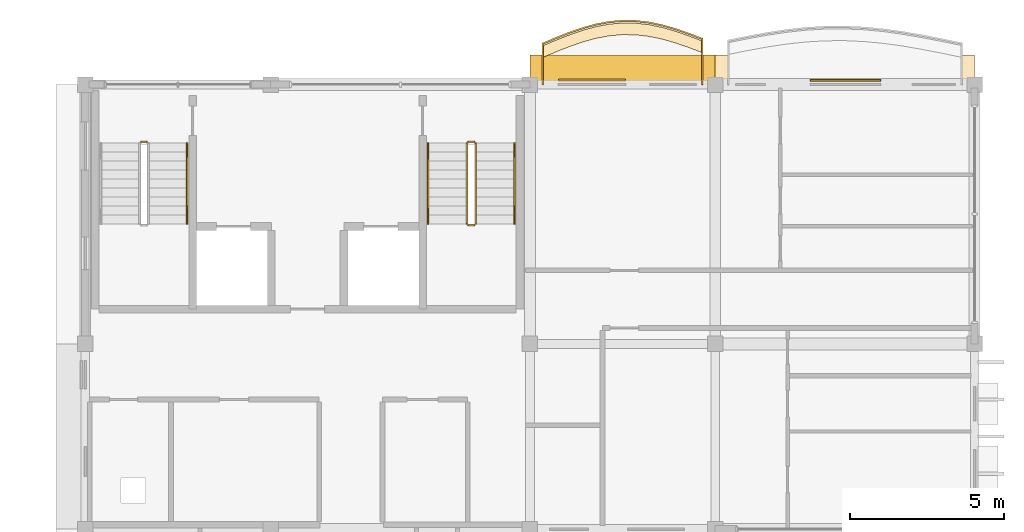
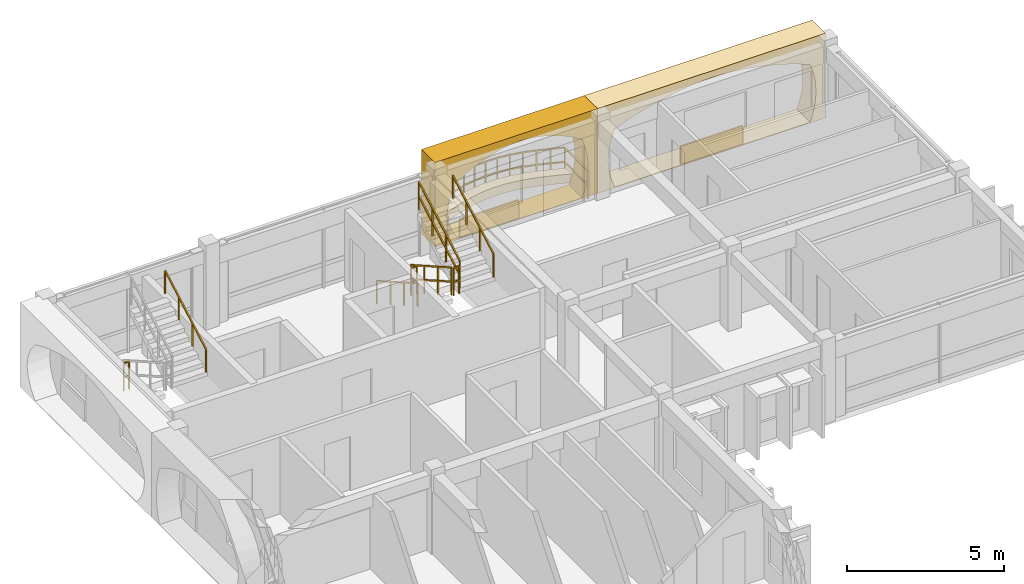
# One storey, part 10 of 10: 9 railings, 5 coverings.
"""IFC4 building model written with IfcOpenShell, lengths in metres."""

import ifcopenshell
import ifcopenshell.guid

model = None  # the IFC model being written
_history = None  # IfcOwnerHistory: only IFC2X3 demands one
_inside = {}  # id of a spatial element -> (the spatial element, [elements in it])
_under = {}  # id of a project, library or spatial element -> (it, [spatial elements below it])
_declared = {}  # id of a project -> (the project, [libraries it declares])
_typed = {}  # id of a type object -> (the type object, [elements of that type])
_made_of = {}  # id of a material, layer set ... -> (it, [elements and type objects made of it])


def new_model(schema):
    """Start an empty IFC model of exactly this schema.

    Asked for "IFC4X3", IfcOpenShell would pick the latest addendum, in which some entities
    have other attributes; the version numbers below select the first issue.
    IFC2X3 requires an IfcOwnerHistory on every rooted entity: one is made here for all.
    """
    global model, _history
    if schema == "IFC4X3":
        model = ifcopenshell.file(schema_version=(4, 3, 0, 0))
    else:
        model = ifcopenshell.file(schema=schema)
    _inside.clear()
    _under.clear()
    _declared.clear()
    _typed.clear()
    _made_of.clear()
    _history = None
    if model.schema == "IFC2X3":
        org = make("IfcOrganization", Name="unknown")
        user = make(
            "IfcPersonAndOrganization",
            ThePerson=make("IfcPerson", FamilyName="unknown"),
            TheOrganization=org,
        )
        app = make(
            "IfcApplication",
            ApplicationDeveloper=org,
            Version="unknown",
            ApplicationFullName="unknown",
            ApplicationIdentifier="unknown",
        )
        _history = make(
            "IfcOwnerHistory",
            OwningUser=user,
            OwningApplication=app,
            ChangeAction="ADDED",
            CreationDate=0,
        )
    return model


def make(cls, **values):
    """One entity of the class cls with the attributes given. An attribute that is None is left unset."""
    return model.create_entity(
        cls, **{name: value for name, value in values.items() if value is not None}
    )


def rooted(cls, **values):
    """An entity with a GlobalId (a new one), such as an element, a storey or a relation."""
    return make(cls, GlobalId=ifcopenshell.guid.new(), OwnerHistory=_history, **values)


def si_unit(unit_type, name, prefix=None):
    """IfcSIUnit, for example si_unit("LENGTHUNIT", "METRE", prefix="MILLI")."""
    return make("IfcSIUnit", UnitType=unit_type, Prefix=prefix, Name=name)


def assignment(units):
    """IfcUnitAssignment: the units of a project."""
    return None if units is None else make("IfcUnitAssignment", Units=units)


def point(xyz):
    """IfcCartesianPoint."""
    return None if xyz is None else make("IfcCartesianPoint", Coordinates=xyz)


def direction(xyz):
    """IfcDirection."""
    return None if xyz is None else make("IfcDirection", DirectionRatios=xyz)


def frame(location, z_axis=None, x_axis=None):
    """IfcAxis2Placement3D, a coordinate frame: its origin and axes. An axis left out is left unset."""
    return make(
        "IfcAxis2Placement3D",
        Location=point(location),
        Axis=direction(z_axis),
        RefDirection=direction(x_axis),
    )


def frame_2d(location, x_axis=None):
    """IfcAxis2Placement2D, a coordinate frame in the plane: its origin and x axis."""
    return make(
        "IfcAxis2Placement2D", Location=point(location), RefDirection=direction(x_axis)
    )


def origin():
    """The frame at (0, 0, 0) with its axes left unset."""
    return frame((0.0, 0.0, 0.0))


def origin_2d():
    """The frame at (0, 0) in the plane with its x axis left unset."""
    return frame_2d((0.0, 0.0))


def place(relative_to, where):
    """IfcLocalPlacement: puts the frame where relative to a parent placement (None: the world)."""
    return make(
        "IfcLocalPlacement", PlacementRelTo=relative_to, RelativePlacement=where
    )


def context(
    kind, dimensions, precision=None, world=None, true_north=None, identifier=None
):
    """IfcGeometricRepresentationContext, for example the 3D "Model" context."""
    return make(
        "IfcGeometricRepresentationContext",
        ContextIdentifier=identifier,
        ContextType=kind,
        CoordinateSpaceDimension=dimensions,
        Precision=precision,
        WorldCoordinateSystem=world,
        TrueNorth=true_north,
    )


def subcontext(parent, identifier, kind, view, scale=None):
    """IfcGeometricRepresentationSubContext, for example "Body" below "Model"."""
    return make(
        "IfcGeometricRepresentationSubContext",
        ContextIdentifier=identifier,
        ContextType=kind,
        ParentContext=parent,
        TargetScale=scale,
        TargetView=view,
    )


def project(units=None, contexts=None):
    """IfcProject with its units and contexts."""
    return rooted(
        "IfcProject",
        Name="project",
        RepresentationContexts=contexts,
        UnitsInContext=assignment(units),
    )


def spatial(cls, under=None, at=None, **own):
    """A site, building, storey or space (cls), placed at a placement, below another one or the project."""
    s = rooted(cls, ObjectPlacement=at, **own)
    if under is not None:
        _under.setdefault(under.id(), (under, []))[1].append(s)
    return s


def polyline(points):
    """IfcPolyline through the points."""
    return make("IfcPolyline", Points=[point(p) for p in points])


def profile(cls, at=None, kind="AREA", **sizes):
    """A parametric profile (cls). Its sizes go by their IFC names, for example OverallWidth=200.0."""
    return make(cls, ProfileType=kind, Position=at, **sizes)


def rectangle(**sizes):
    """IfcRectangleProfileDef."""
    return profile("IfcRectangleProfileDef", **sizes)


def outline(outer, holes=None, kind="AREA"):
    """IfcArbitraryClosedProfileDef: a profile drawn as a closed curve; with holes, ...WithVoids."""
    if holes is None:
        return make("IfcArbitraryClosedProfileDef", ProfileType=kind, OuterCurve=outer)
    return make(
        "IfcArbitraryProfileDefWithVoids",
        ProfileType=kind,
        OuterCurve=outer,
        InnerCurves=holes,
    )


def extrude(swept, where, along, depth):
    """IfcExtrudedAreaSolid: the profile swept, set in the frame where, extruded along a direction by depth."""
    return make(
        "IfcExtrudedAreaSolid",
        SweptArea=swept,
        Position=where,
        ExtrudedDirection=direction(along),
        Depth=depth,
    )


def shape(context_of_items, identifier, shape_type, items):
    """IfcShapeRepresentation: the items that make up one representation, for example the "Body"."""
    return make(
        "IfcShapeRepresentation",
        ContextOfItems=context_of_items,
        RepresentationIdentifier=identifier,
        RepresentationType=shape_type,
        Items=items,
    )


def material(Name=None, Category=None):
    """IfcMaterial."""
    return make("IfcMaterial", Name=Name, Category=Category)


def layer(
    of_material, thickness, ventilated=None, Name=None, Category=None, Priority=None
):
    """IfcMaterialLayer: one layer of a wall or slab, of a material (None: an air gap)."""
    return make(
        "IfcMaterialLayer",
        Material=of_material,
        LayerThickness=thickness,
        IsVentilated=ventilated,
        Name=Name,
        Category=Category,
        Priority=Priority,
    )


def layer_set(layers, Name=None):
    """IfcMaterialLayerSet."""
    return make("IfcMaterialLayerSet", MaterialLayers=layers, LayerSetName=Name)


def made_of(thing, what):
    """Note that an element or type object is made of a material, layer set ...; save() writes the relation."""
    if what is not None:
        _made_of.setdefault(what.id(), (what, []))[1].append(thing)
    return thing


def type_object(cls, material=None, **own):
    """A type object (cls), such as IfcWallType, which elements share."""
    return made_of(rooted(cls, **own), material)


def element(
    cls,
    number,
    at=None,
    inside=None,
    cuts=None,
    type_object=None,
    material=None,
    context=None,
    identifier="Body",
    shape_type=None,
    held_by="IfcProductDefinitionShape",
    body=None,
    shapes=None,
    **own,
):
    """One element of the class cls, such as IfcWall. Its Tag is "e" and its number.

    at: its placement. inside: the storey or other place that contains it. cuts: it is an
    opening in that element (IfcRelVoidsElement). A single representation is given by context,
    identifier, shape_type and body (its items); several are given by shapes. held_by: the class
    of the entity that holds the representations. save() writes the other relations.
    """
    e = rooted(cls, Tag="e%d" % number, ObjectPlacement=at, **own)
    if body is not None:
        shapes = [shape(context, identifier, shape_type, body)]
    if shapes is not None:
        e.Representation = make(held_by, Representations=shapes)
    if inside is not None:
        _inside.setdefault(inside.id(), (inside, []))[1].append(e)
    if cuts is not None:
        rooted(
            "IfcRelVoidsElement", RelatingBuildingElement=cuts, RelatedOpeningElement=e
        )
    if type_object is not None:
        _typed.setdefault(type_object.id(), (type_object, []))[1].append(e)
    return made_of(e, material)


def aggregate(whole, parts):
    """IfcRelAggregates: a whole, such as a stair, and the parts it consists of."""
    return rooted("IfcRelAggregates", RelatingObject=whole, RelatedObjects=parts)


def save(model, path):
    """Write the relations noted so far, then the file.

    IfcRelAggregates (storeys below a building ...), IfcRelContainedInSpatialStructure (elements
    in a storey), IfcRelDefinesByType, IfcRelAssociatesMaterial and IfcRelDeclares: one each for
    every whole, place, type object, material and project.
    """
    for whole, parts in _under.values():
        aggregate(whole, parts)
    for where, things in _inside.values():
        rooted(
            "IfcRelContainedInSpatialStructure",
            RelatedElements=things,
            RelatingStructure=where,
        )
    for kind, things in _typed.values():
        rooted("IfcRelDefinesByType", RelatedObjects=things, RelatingType=kind)
    for what, things in _made_of.values():
        rooted("IfcRelAssociatesMaterial", RelatedObjects=things, RelatingMaterial=what)
    for by, libraries in _declared.values():
        rooted("IfcRelDeclares", RelatingContext=by, RelatedDefinitions=libraries)
    model.write(path)


model = new_model("IFC4")

# Units and contexts
model_context = context("Model", 3, precision=1e-05, world=origin(), true_north=direction((0.0, 1.0)))
body_context = subcontext(model_context, "Body", "Model", "MODEL_VIEW")
ifc_project = project(units=[si_unit("LENGTHUNIT", "METRE"), si_unit("AREAUNIT", "SQUARE_METRE"), si_unit("VOLUMEUNIT", "CUBIC_METRE"), si_unit("PLANEANGLEUNIT", "RADIAN"), si_unit("MASSUNIT", "GRAM", prefix="KILO"), si_unit("THERMODYNAMICTEMPERATUREUNIT", "KELVIN")], contexts=[model_context])

# Site, building, storey
site_placement = place(None, origin())
site = spatial("IfcSite", under=ifc_project, at=site_placement, CompositionType="ELEMENT")
building_placement = place(site_placement, origin())
building = spatial("IfcBuilding", under=site, at=building_placement, Name="Thalorik Housing Commons", CompositionType="ELEMENT")
storey_placement = place(building_placement, frame((0.0, 0.0, 44.39990234375)))
storey = spatial("IfcBuildingStorey", under=building, at=storey_placement, Name="L13", CompositionType="ELEMENT", Elevation=44.39990234375)

# Coverings
ifc_material_1 = material(Name="Cobalt blue glazed ceramic facade tile panel", Category="masonry")
ifc_layer_1 = layer(ifc_material_1, 0.06005859375, Name="Cobalt blue glazed ceramic facade tile panel", Category="masonry")
ifc_layer_set_1 = layer_set([ifc_layer_1], Name="Cobalt blue glazed ceramic facade tile panel")
covering_type_1 = type_object("IfcCoveringType", Name="ARC-CLD-BLU-60", PredefinedType="CLADDING", material=ifc_layer_set_1)
covering_1_placement = place(storey_placement, frame((33.017578125, 123.737548828125, 0.05029296875), z_axis=(0.0, 0.0, 1.0), x_axis=(-1.0, 0.0, 0.0)))
element("IfcCovering", 1, at=covering_1_placement, inside=storey, type_object=covering_type_1, Name="L13 De Stijl Recessed Window Spandrel 1278", PredefinedType="CLADDING", context=body_context, shape_type="SweptSolid", body=[
    extrude(rectangle(XDim=2.280029296875, YDim=0.06005859375, at=origin_2d()), origin(), (0.0, 0.0, 1.0), 0.699951171875),
])
ifc_material_2 = material(Name="Precast concrete C40/50", Category="concrete")
ifc_layer_2 = layer(ifc_material_2, 0.85009765625, Name="Precast concrete C40/50", Category="concrete")
ifc_layer_set_2 = layer_set([ifc_layer_2], Name="Precast concrete C40/50")
covering_type_2 = type_object("IfcCoveringType", Name="ARC-CLD-CUSH-850", PredefinedType="CLADDING", material=ifc_layer_set_2)
covering_2_placement = place(storey_placement, frame((33.0, 124.12744140625, 0.0), z_axis=(0.0, 0.0, 1.0), x_axis=(-1.0, 0.0, 0.0)))
element("IfcCovering", 2, at=covering_2_placement, inside=storey, type_object=covering_type_2, Name="L13 White Precast Curved Cushion Bay Frame 1277", PredefinedType="CLADDING", context=body_context, shape_type="SweptSolid", body=[
    extrude(outline(polyline([(-4.199951171875, 0.0), (4.199951171875, 0.0), (4.199951171875, 3.300048828125), (-4.199951171875, 3.300048828125), (-4.199951171875, 0.0)]), holes=[polyline([(3.577392578125, 0.02490234375), (3.708740234375, 0.40087890625), (3.78759765625, 0.776611328125), (3.81396484375, 1.152587890625), (3.78759765625, 1.5283203125), (3.708740234375, 1.904296875), (3.577392578125, 2.280029296875), (2.976806640625, 2.51123046875), (2.376220703125, 2.693115234375), (1.775390625, 2.840087890625), (1.1748046875, 2.94970703125), (0.57421875, 3.01708984375), (-0.0263671875, 3.0400390625), (-0.626953125, 3.01708984375), (-1.2275390625, 2.94970703125), (-1.828125, 2.840087890625), (-2.4287109375, 2.693115234375), (-3.029296875, 2.51123046875), (-3.6298828125, 2.280029296875), (-3.750244140625, 1.904296875), (-3.822509765625, 1.5283203125), (-3.8466796875, 1.152587890625), (-3.822509765625, 0.776611328125), (-3.750244140625, 0.40087890625), (-3.6298828125, 0.02490234375), (3.577392578125, 0.02490234375)])]), frame((0.0, 0.425048828125, 0.0), z_axis=(0.0, -1.0, 0.0), x_axis=(1.0, 0.0, 0.0)), (0.0, 0.0, 1.0), 0.85009765625),
])
covering_3_placement = place(storey_placement, frame((25.800048828125, 124.12744140625, 0.0), z_axis=(0.0, 0.0, 1.0), x_axis=(-1.0, 0.0, 0.0)))
element("IfcCovering", 3, at=covering_3_placement, inside=storey, type_object=covering_type_2, Name="L13 White Precast Curved Cushion Bay Frame 1279", PredefinedType="CLADDING", context=body_context, shape_type="SweptSolid", body=[
    extrude(outline(polyline([(-3.0, 0.0), (3.0, 0.0), (3.0, 3.300048828125), (-3.0, 3.300048828125), (-3.0, 0.0)]), holes=[polyline([(2.1298828125, 0.02490234375), (2.36328125, 0.404296875), (2.50341796875, 0.783203125), (2.550048828125, 1.16259765625), (2.50341796875, 1.541748046875), (2.36328125, 1.9208984375), (2.1298828125, 2.300048828125), (1.75, 2.525390625), (1.3701171875, 2.7021484375), (0.989990234375, 2.845458984375), (0.610107421875, 2.951904296875), (0.22998046875, 3.017822265625), (-0.14990234375, 3.0400390625), (-0.530029296875, 3.017822265625), (-0.909912109375, 2.951904296875), (-1.2900390625, 2.845458984375), (-1.669921875, 2.7021484375), (-2.050048828125, 2.525390625), (-2.429931640625, 2.300048828125), (-2.55029296875, 1.9208984375), (-2.62255859375, 1.541748046875), (-2.646484375, 1.16259765625), (-2.62255859375, 0.783203125), (-2.55029296875, 0.404296875), (-2.429931640625, 0.02490234375), (2.1298828125, 0.02490234375)])]), frame((0.0, 0.425048828125, 0.0), z_axis=(0.0, -1.0, 0.0), x_axis=(1.0, 0.0, 0.0)), (0.0, 0.0, 1.0), 0.85009765625),
])
ifc_material_3 = material(Name="Mineral ochre architectural terracotta panel", Category="masonry")
ifc_layer_3 = layer(ifc_material_3, 0.06494140625, Name="Mineral ochre architectural terracotta panel", Category="masonry")
ifc_layer_set_3 = layer_set([ifc_layer_3], Name="Mineral ochre architectural terracotta panel")
covering_type_3 = type_object("IfcCoveringType", Name="ARC-CLD-YEL-65", PredefinedType="CLADDING", material=ifc_layer_set_3)
covering_4_placement = place(storey_placement, frame((24.81005859375, 123.739990234375, 0.05029296875), z_axis=(0.0, 0.0, 1.0), x_axis=(-1.0, 0.0, 0.0)))
element("IfcCovering", 4, at=covering_4_placement, inside=storey, type_object=covering_type_3, Name="L13 De Stijl Recessed Window Spandrel 1280", PredefinedType="CLADDING", context=body_context, shape_type="SweptSolid", body=[
    extrude(rectangle(XDim=2.179931640625, YDim=0.06494140625, at=origin_2d()), origin(), (0.0, 0.0, 1.0), 0.699951171875),
])
ifc_material_4 = material(Name="Planted vegetated substrate and terracotta trough", Category="masonry")
ifc_layer_4 = layer(ifc_material_4, 0.340087890625, Name="Planted vegetated substrate and terracotta trough", Category="masonry")
ifc_layer_set_4 = layer_set([ifc_layer_4], Name="Planted vegetated substrate and terracotta trough")
covering_type_4 = type_object("IfcCoveringType", Name="ARC-COV-PLANTER", PredefinedType="USERDEFINED", material=ifc_layer_set_4)
covering_5_placement = place(storey_placement, origin())
element("IfcCovering", 5, at=covering_5_placement, inside=storey, type_object=covering_type_4, Name="L13 Balcony Slab-Edge Planted Trough 5402", ObjectType="PLANTER", PredefinedType="USERDEFINED", context=body_context, shape_type="SweptSolid", body=[
    extrude(outline(polyline([(28.3798828125, 125.01123046875), (27.949951171875, 125.175048828125), (27.52001953125, 125.323974609375), (27.090087890625, 125.44775390625), (26.659912109375, 125.5380859375), (26.22998046875, 125.58837890625), (25.800048828125, 125.59521484375), (25.3701171875, 125.55712890625), (24.93994140625, 125.4765625), (24.510009765625, 125.35791015625), (24.080078125, 125.209228515625), (23.64990234375, 125.039306640625), (23.219970703125, 124.859375), (23.219970703125, 124.479248046875), (23.64990234375, 124.6591796875), (24.080078125, 124.8291015625), (24.510009765625, 124.97802734375), (24.93994140625, 125.096435546875), (25.3701171875, 125.177001953125), (25.800048828125, 125.215087890625), (26.22998046875, 125.20849609375), (26.659912109375, 125.158203125), (27.090087890625, 125.06787109375), (27.52001953125, 124.94384765625), (27.949951171875, 124.794921875), (28.3798828125, 124.631103515625), (28.3798828125, 125.01123046875)])), origin(), (0.0, 0.0, 1.0), 0.340087890625),
])

# Railings
ifc_material_5 = material(Name="Steel S355", Category="steel")
railing_type_1 = type_object("IfcRailingType", Name="ARC-RL-BAL-112", PredefinedType="BALUSTRADE", material=ifc_material_5)
railing_1_placement = place(storey_placement, frame((28.3798828125, 123.60009765625, 0.0)))
element("IfcRailing", 6, at=railing_1_placement, inside=storey, type_object=railing_type_1, Name="L13 Cushion Balcony Guardrail 86", PredefinedType="BALUSTRADE", context=body_context, shape_type="SweptSolid", body=[
    extrude(rectangle(XDim=0.050048828125, YDim=0.050048828125, at=origin_2d()), frame((0.0, 0.0, 1.09521484375), z_axis=(0.0, 1.0, 0.0), x_axis=(-1.0, 0.0, 0.0)), (0.0, 0.0, 1.0), 1.481201171875),
    extrude(rectangle(XDim=0.050048828125, YDim=0.050048828125, at=origin_2d()), frame((0.0, 0.0, 0.53515625), z_axis=(0.0, 1.0, 0.0), x_axis=(-1.0, 0.0, 0.0)), (0.0, 0.0, 1.0), 1.481201171875),
    extrude(rectangle(XDim=0.050048828125, YDim=0.050048828125, at=origin_2d()), frame((0.0, 1.481201171875, 1.09521484375), z_axis=(-0.934462513902, 0.35606152574, 0.0), x_axis=(-0.35606152574, -0.934462513902, 0.0)), (0.0, 0.0, 1.0), 0.460205078125),
    extrude(rectangle(XDim=0.050048828125, YDim=0.050048828125, at=origin_2d()), frame((0.0, 1.481201171875, 0.53515625), z_axis=(-0.934462513902, 0.35606152574, 0.0), x_axis=(-0.35606152574, -0.934462513902, 0.0)), (0.0, 0.0, 1.0), 0.460205078125),
    extrude(rectangle(XDim=0.050048828125, YDim=0.050048828125, at=origin_2d()), frame((-0.429931640625, 1.64501953125, 1.09521484375), z_axis=(-0.945081740918, 0.326834060317, 0.0), x_axis=(-0.326834060317, -0.945081740918, 0.0)), (0.0, 0.0, 1.0), 0.454833984375),
    extrude(rectangle(XDim=0.050048828125, YDim=0.050048828125, at=origin_2d()), frame((-0.429931640625, 1.64501953125, 0.53515625), z_axis=(-0.945081740918, 0.326834060317, 0.0), x_axis=(-0.326834060317, -0.945081740918, 0.0)), (0.0, 0.0, 1.0), 0.454833984375),
    extrude(rectangle(XDim=0.050048828125, YDim=0.050048828125, at=origin_2d()), frame((-0.85986328125, 1.793701171875, 1.09521484375), z_axis=(-0.960820796949, 0.277170337791, 0.0), x_axis=(-0.277170337791, -0.960820796949, 0.0)), (0.0, 0.0, 1.0), 0.447509765625),
    extrude(rectangle(XDim=0.050048828125, YDim=0.050048828125, at=origin_2d()), frame((-0.85986328125, 1.793701171875, 0.53515625), z_axis=(-0.960820796949, 0.277170337791, 0.0), x_axis=(-0.277170337791, -0.960820796949, 0.0)), (0.0, 0.0, 1.0), 0.447509765625),
    extrude(rectangle(XDim=0.050048828125, YDim=0.050048828125, at=origin_2d()), frame((-1.289794921875, 1.917724609375, 1.09521484375), z_axis=(-0.978655730791, 0.205506595002, 0.0), x_axis=(-0.205506595002, -0.978655730791, 0.0)), (0.0, 0.0, 1.0), 0.439453125),
    extrude(rectangle(XDim=0.050048828125, YDim=0.050048828125, at=origin_2d()), frame((-1.289794921875, 1.917724609375, 0.53515625), z_axis=(-0.978655730791, 0.205506595002, 0.0), x_axis=(-0.205506595002, -0.978655730791, 0.0)), (0.0, 0.0, 1.0), 0.439453125),
    extrude(rectangle(XDim=0.050048828125, YDim=0.050048828125, at=origin_2d()), frame((-1.719970703125, 2.008056640625, 1.09521484375), z_axis=(-0.99322738707, 0.116186735796, 0.0), x_axis=(-0.116186735796, -0.99322738707, 0.0)), (0.0, 0.0, 1.0), 0.432861328125),
    extrude(rectangle(XDim=0.050048828125, YDim=0.050048828125, at=origin_2d()), frame((-1.719970703125, 2.008056640625, 0.53515625), z_axis=(-0.99322738707, 0.116186735796, 0.0), x_axis=(-0.116186735796, -0.99322738707, 0.0)), (0.0, 0.0, 1.0), 0.432861328125),
    extrude(rectangle(XDim=0.050048828125, YDim=0.050048828125, at=origin_2d()), frame((-2.14990234375, 2.058349609375, 1.09521484375), z_axis=(-0.999882482577, 0.015330395815, 0.0), x_axis=(-0.015330395815, -0.999882482577, 0.0)), (0.0, 0.0, 1.0), 0.429931640625),
    extrude(rectangle(XDim=0.050048828125, YDim=0.050048828125, at=origin_2d()), frame((-2.14990234375, 2.058349609375, 0.53515625), z_axis=(-0.999882482577, 0.015330395815, 0.0), x_axis=(-0.015330395815, -0.999882482577, 0.0)), (0.0, 0.0, 1.0), 0.429931640625),
    extrude(rectangle(XDim=0.050048828125, YDim=0.050048828125, at=origin_2d()), frame((-2.579833984375, 2.06494140625, 1.09521484375), z_axis=(-0.996148763572, -0.087679192705, 0.0), x_axis=(0.087679192705, -0.996148763572, 0.0)), (0.0, 0.0, 1.0), 0.431640625),
    extrude(rectangle(XDim=0.050048828125, YDim=0.050048828125, at=origin_2d()), frame((-2.579833984375, 2.06494140625, 0.53515625), z_axis=(-0.996148763572, -0.087679192705, 0.0), x_axis=(0.087679192705, -0.996148763572, 0.0)), (0.0, 0.0, 1.0), 0.431640625),
    extrude(rectangle(XDim=0.050048828125, YDim=0.050048828125, at=origin_2d()), frame((-3.009765625, 2.027099609375, 1.09521484375), z_axis=(-0.982808984292, -0.184625297276, 0.0), x_axis=(0.184625297276, -0.982808984292, 0.0)), (0.0, 0.0, 1.0), 0.437744140625),
    extrude(rectangle(XDim=0.050048828125, YDim=0.050048828125, at=origin_2d()), frame((-3.009765625, 2.027099609375, 0.53515625), z_axis=(-0.982808984292, -0.184625297276, 0.0), x_axis=(0.184625297276, -0.982808984292, 0.0)), (0.0, 0.0, 1.0), 0.437744140625),
    extrude(rectangle(XDim=0.050048828125, YDim=0.050048828125, at=origin_2d()), frame((-3.43994140625, 1.9462890625, 1.09521484375), z_axis=(-0.964103843637, -0.265525476527, 0.0), x_axis=(0.265525476527, -0.964103843637, 0.0)), (0.0, 0.0, 1.0), 0.446044921875),
    extrude(rectangle(XDim=0.050048828125, YDim=0.050048828125, at=origin_2d()), frame((-3.43994140625, 1.9462890625, 0.53515625), z_axis=(-0.964103843637, -0.265525476527, 0.0), x_axis=(0.265525476527, -0.964103843637, 0.0)), (0.0, 0.0, 1.0), 0.446044921875),
    extrude(rectangle(XDim=0.050048828125, YDim=0.050048828125, at=origin_2d()), frame((-3.869873046875, 1.827880859375, 1.09521484375), z_axis=(-0.945081740918, -0.326834060317, 0.0), x_axis=(0.326834060317, -0.945081740918, 0.0)), (0.0, 0.0, 1.0), 0.454833984375),
    extrude(rectangle(XDim=0.050048828125, YDim=0.050048828125, at=origin_2d()), frame((-3.869873046875, 1.827880859375, 0.53515625), z_axis=(-0.945081740918, -0.326834060317, 0.0), x_axis=(0.326834060317, -0.945081740918, 0.0)), (0.0, 0.0, 1.0), 0.454833984375),
    extrude(rectangle(XDim=0.050048828125, YDim=0.050048828125, at=origin_2d()), frame((-4.2998046875, 1.67919921875, 1.09521484375), z_axis=(-0.930069804199, -0.367382851148, 0.0), x_axis=(0.367382851148, -0.930069804199, 0.0)), (0.0, 0.0, 1.0), 0.46240234375),
    extrude(rectangle(XDim=0.050048828125, YDim=0.050048828125, at=origin_2d()), frame((-4.2998046875, 1.67919921875, 0.53515625), z_axis=(-0.930069804199, -0.367382851148, 0.0), x_axis=(0.367382851148, -0.930069804199, 0.0)), (0.0, 0.0, 1.0), 0.46240234375),
    extrude(rectangle(XDim=0.050048828125, YDim=0.050048828125, at=origin_2d()), frame((-4.72998046875, 1.50927734375, 1.09521484375), z_axis=(-0.922284734459, -0.386511149365, 0.0), x_axis=(0.386511149365, -0.922284734459, 0.0)), (0.0, 0.0, 1.0), 0.466064453125),
    extrude(rectangle(XDim=0.050048828125, YDim=0.050048828125, at=origin_2d()), frame((-4.72998046875, 1.50927734375, 0.53515625), z_axis=(-0.922284734459, -0.386511149365, 0.0), x_axis=(0.386511149365, -0.922284734459, 0.0)), (0.0, 0.0, 1.0), 0.466064453125),
    extrude(rectangle(XDim=0.050048828125, YDim=0.050048828125, at=origin_2d()), frame((-5.159912109375, 1.3291015625, 1.09521484375), z_axis=(0.0, -1.0, 0.0), x_axis=(1.0, 0.0, 0.0)), (0.0, 0.0, 1.0), 1.3291015625),
    extrude(rectangle(XDim=0.050048828125, YDim=0.050048828125, at=origin_2d()), frame((-5.159912109375, 1.3291015625, 0.53515625), z_axis=(0.0, -1.0, 0.0), x_axis=(1.0, 0.0, 0.0)), (0.0, 0.0, 1.0), 1.3291015625),
    extrude(rectangle(XDim=0.0419921875, YDim=0.0419921875, at=origin_2d()), origin(), (0.0, 0.0, 1.0), 1.070068359375),
    extrude(rectangle(XDim=0.0419921875, YDim=0.0419921875, at=origin_2d()), frame((0.0, 1.481201171875, 0.0)), (0.0, 0.0, 1.0), 1.070068359375),
    extrude(rectangle(XDim=0.0419921875, YDim=0.0419921875, at=origin_2d()), frame((-0.429931640625, 1.64501953125, 0.0)), (0.0, 0.0, 1.0), 1.070068359375),
    extrude(rectangle(XDim=0.0419921875, YDim=0.0419921875, at=origin_2d()), frame((-0.85986328125, 1.793701171875, 0.0)), (0.0, 0.0, 1.0), 1.070068359375),
    extrude(rectangle(XDim=0.0419921875, YDim=0.0419921875, at=origin_2d()), frame((-1.289794921875, 1.917724609375, 0.0)), (0.0, 0.0, 1.0), 1.070068359375),
    extrude(rectangle(XDim=0.0419921875, YDim=0.0419921875, at=origin_2d()), frame((-1.719970703125, 2.008056640625, 0.0)), (0.0, 0.0, 1.0), 1.070068359375),
    extrude(rectangle(XDim=0.0419921875, YDim=0.0419921875, at=origin_2d()), frame((-2.14990234375, 2.058349609375, 0.0)), (0.0, 0.0, 1.0), 1.070068359375),
    extrude(rectangle(XDim=0.0419921875, YDim=0.0419921875, at=origin_2d()), frame((-2.579833984375, 2.06494140625, 0.0)), (0.0, 0.0, 1.0), 1.070068359375),
    extrude(rectangle(XDim=0.0419921875, YDim=0.0419921875, at=origin_2d()), frame((-3.009765625, 2.027099609375, 0.0)), (0.0, 0.0, 1.0), 1.070068359375),
    extrude(rectangle(XDim=0.0419921875, YDim=0.0419921875, at=origin_2d()), frame((-3.43994140625, 1.9462890625, 0.0)), (0.0, 0.0, 1.0), 1.070068359375),
    extrude(rectangle(XDim=0.0419921875, YDim=0.0419921875, at=origin_2d()), frame((-3.869873046875, 1.827880859375, 0.0)), (0.0, 0.0, 1.0), 1.070068359375),
    extrude(rectangle(XDim=0.0419921875, YDim=0.0419921875, at=origin_2d()), frame((-4.2998046875, 1.67919921875, 0.0)), (0.0, 0.0, 1.0), 1.070068359375),
    extrude(rectangle(XDim=0.0419921875, YDim=0.0419921875, at=origin_2d()), frame((-4.72998046875, 1.50927734375, 0.0)), (0.0, 0.0, 1.0), 1.070068359375),
    extrude(rectangle(XDim=0.0419921875, YDim=0.0419921875, at=origin_2d()), frame((-5.159912109375, 1.3291015625, 0.0)), (0.0, 0.0, 1.0), 1.070068359375),
    extrude(rectangle(XDim=0.0419921875, YDim=0.0419921875, at=origin_2d()), frame((-5.159912109375, 0.0, 0.0)), (0.0, 0.0, 1.0), 1.070068359375),
])
railing_type_2 = type_object("IfcRailingType", Name="ARC-RL-STR-GRD110", PredefinedType="GUARDRAIL", material=ifc_material_5)
railing_2_placement = place(storey_placement, frame((10.199951171875, 121.75, 0.0)))
element("IfcRailing", 7, at=railing_2_placement, inside=storey, type_object=railing_type_2, Name="L13 ST-A1 stair guard 4", PredefinedType="GUARDRAIL", context=body_context, shape_type="SweptSolid", body=[
    extrude(rectangle(XDim=0.048095703125, YDim=0.048095703125, at=origin_2d()), frame((0.0, 0.0, 1.076171875), z_axis=(1.0, 0.0, 0.0), x_axis=(0.0, 1.0, 0.0)), (0.0, 0.0, 1.0), 0.199951171875),
    extrude(rectangle(XDim=0.048095703125, YDim=0.048095703125, at=origin_2d()), frame((0.0, 0.0, 0.52587890625), z_axis=(1.0, 0.0, 0.0), x_axis=(0.0, 1.0, 0.0)), (0.0, 0.0, 1.0), 0.199951171875),
    extrude(rectangle(XDim=0.0419921875, YDim=0.0419921875, at=origin_2d()), origin(), (0.0, 0.0, 1.0), 1.052001953125),
    extrude(rectangle(XDim=0.0419921875, YDim=0.0419921875, at=origin_2d()), frame((0.199951171875, 0.0, 0.0)), (0.0, 0.0, 1.0), 1.052001953125),
])
railing_3_placement = place(storey_placement, frame((20.75, 121.699951171875, 0.1650390625)))
element("IfcRailing", 8, at=railing_3_placement, inside=storey, type_object=railing_type_2, Name="L13 ST-A2 stair guard 1", PredefinedType="GUARDRAIL", context=body_context, shape_type="SweptSolid", body=[
    extrude(rectangle(XDim=0.048095703125, YDim=0.048095703125, at=origin_2d()), frame((0.0, 0.0, 1.076171875), z_axis=(0.0, -0.869137319866, 0.494570843475), x_axis=(1.0, 0.0, 0.0)), (0.0, 0.0, 1.0), 3.0029296875),
    extrude(rectangle(XDim=0.048095703125, YDim=0.048095703125, at=origin_2d()), frame((0.0, 0.0, 0.52587890625), z_axis=(0.0, -0.869137319866, 0.494570843475), x_axis=(1.0, 0.0, 0.0)), (0.0, 0.0, 1.0), 3.0029296875),
    extrude(rectangle(XDim=0.0419921875, YDim=0.0419921875, at=origin_2d()), origin(), (0.0, 0.0, 1.0), 1.052001953125),
    extrude(rectangle(XDim=0.0419921875, YDim=0.0419921875, at=origin_2d()), frame((0.0, -0.869873046875, 0.4951171875)), (0.0, 0.0, 1.0), 1.052001953125),
    extrude(rectangle(XDim=0.0419921875, YDim=0.0419921875, at=origin_2d()), frame((0.0, -1.739990234375, 0.989990234375)), (0.0, 0.0, 1.0), 1.052001953125),
    extrude(rectangle(XDim=0.0419921875, YDim=0.0419921875, at=origin_2d()), frame((0.0, -2.60986328125, 1.485107421875)), (0.0, 0.0, 1.0), 1.052001953125),
])
railing_4_placement = place(storey_placement, frame((20.800048828125, 119.0400390625, 1.650146484375)))
element("IfcRailing", 9, at=railing_4_placement, inside=storey, type_object=railing_type_2, Name="L13 ST-A2 stair guard 2", PredefinedType="GUARDRAIL", context=body_context, shape_type="SweptSolid", body=[
    extrude(rectangle(XDim=0.048095703125, YDim=0.048095703125, at=origin_2d()), frame((0.0, 0.0, 1.076171875), z_axis=(1.0, 0.0, 0.0), x_axis=(0.0, 1.0, 0.0)), (0.0, 0.0, 1.0), 0.199951171875),
    extrude(rectangle(XDim=0.048095703125, YDim=0.048095703125, at=origin_2d()), frame((0.0, 0.0, 0.52587890625), z_axis=(1.0, 0.0, 0.0), x_axis=(0.0, 1.0, 0.0)), (0.0, 0.0, 1.0), 0.199951171875),
    extrude(rectangle(XDim=0.0419921875, YDim=0.0419921875, at=origin_2d()), origin(), (0.0, 0.0, 1.0), 1.052001953125),
    extrude(rectangle(XDim=0.0419921875, YDim=0.0419921875, at=origin_2d()), frame((0.199951171875, 0.0, 0.0)), (0.0, 0.0, 1.0), 1.052001953125),
])
railing_5_placement = place(storey_placement, frame((21.050048828125, 119.090087890625, 1.815185546875)))
element("IfcRailing", 10, at=railing_5_placement, inside=storey, type_object=railing_type_2, Name="L13 ST-A2 stair guard 3", PredefinedType="GUARDRAIL", context=body_context, shape_type="SweptSolid", body=[
    extrude(rectangle(XDim=0.048095703125, YDim=0.048095703125, at=origin_2d()), frame((0.0, 0.0, 1.076171875), z_axis=(0.0, 0.869172267526, 0.494509422927), x_axis=(-1.0, 0.0, 0.0)), (0.0, 0.0, 1.0), 3.002685546875),
    extrude(rectangle(XDim=0.048095703125, YDim=0.048095703125, at=origin_2d()), frame((0.0, 0.0, 0.52587890625), z_axis=(0.0, 0.869172267526, 0.494509422927), x_axis=(-1.0, 0.0, 0.0)), (0.0, 0.0, 1.0), 3.002685546875),
    extrude(rectangle(XDim=0.0419921875, YDim=0.0419921875, at=origin_2d()), origin(), (0.0, 0.0, 1.0), 1.052001953125),
    extrude(rectangle(XDim=0.0419921875, YDim=0.0419921875, at=origin_2d()), frame((0.0, 0.869873046875, 0.494873046875)), (0.0, 0.0, 1.0), 1.052001953125),
    extrude(rectangle(XDim=0.0419921875, YDim=0.0419921875, at=origin_2d()), frame((0.0, 1.739990234375, 0.989990234375)), (0.0, 0.0, 1.0), 1.052001953125),
    extrude(rectangle(XDim=0.0419921875, YDim=0.0419921875, at=origin_2d()), frame((0.0, 2.60986328125, 1.48486328125)), (0.0, 0.0, 1.0), 1.052001953125),
])
railing_6_placement = place(storey_placement, frame((20.800048828125, 121.75, 0.0)))
element("IfcRailing", 11, at=railing_6_placement, inside=storey, type_object=railing_type_2, Name="L13 ST-A2 stair guard 4", PredefinedType="GUARDRAIL", context=body_context, shape_type="SweptSolid", body=[
    extrude(rectangle(XDim=0.048095703125, YDim=0.048095703125, at=origin_2d()), frame((0.0, 0.0, 1.076171875), z_axis=(1.0, 0.0, 0.0), x_axis=(0.0, 1.0, 0.0)), (0.0, 0.0, 1.0), 0.199951171875),
    extrude(rectangle(XDim=0.048095703125, YDim=0.048095703125, at=origin_2d()), frame((0.0, 0.0, 0.52587890625), z_axis=(1.0, 0.0, 0.0), x_axis=(0.0, 1.0, 0.0)), (0.0, 0.0, 1.0), 0.199951171875),
    extrude(rectangle(XDim=0.0419921875, YDim=0.0419921875, at=origin_2d()), origin(), (0.0, 0.0, 1.0), 1.052001953125),
    extrude(rectangle(XDim=0.0419921875, YDim=0.0419921875, at=origin_2d()), frame((0.199951171875, 0.0, 0.0)), (0.0, 0.0, 1.0), 1.052001953125),
])
railing_type_3 = type_object("IfcRailingType", Name="ARC-RL-STR-HR092", PredefinedType="HANDRAIL", material=ifc_material_5)
railing_7_placement = place(storey_placement, frame((11.699951171875, 119.090087890625, 1.815185546875)))
element("IfcRailing", 12, at=railing_7_placement, inside=storey, type_object=railing_type_3, Name="L13 ST-A1 stair handrail 2", PredefinedType="HANDRAIL", context=body_context, shape_type="SweptSolid", body=[
    extrude(rectangle(XDim=0.048095703125, YDim=0.048095703125, at=origin_2d()), frame((0.0, 0.0, 0.89599609375), z_axis=(0.0, 0.869172267526, 0.494509422927), x_axis=(-1.0, 0.0, 0.0)), (0.0, 0.0, 1.0), 3.002685546875),
    extrude(rectangle(XDim=0.0419921875, YDim=0.0419921875, at=origin_2d()), origin(), (0.0, 0.0, 1.0), 0.871826171875),
    extrude(rectangle(XDim=0.0419921875, YDim=0.0419921875, at=origin_2d()), frame((0.0, 0.869873046875, 0.494873046875)), (0.0, 0.0, 1.0), 0.871826171875),
    extrude(rectangle(XDim=0.0419921875, YDim=0.0419921875, at=origin_2d()), frame((0.0, 1.739990234375, 0.989990234375)), (0.0, 0.0, 1.0), 0.871826171875),
    extrude(rectangle(XDim=0.0419921875, YDim=0.0419921875, at=origin_2d()), frame((0.0, 2.60986328125, 1.48486328125)), (0.0, 0.0, 1.0), 0.871826171875),
])
railing_8_placement = place(storey_placement, frame((19.5, 121.699951171875, 0.1650390625)))
element("IfcRailing", 13, at=railing_8_placement, inside=storey, type_object=railing_type_3, Name="L13 ST-A2 stair handrail 1", PredefinedType="HANDRAIL", context=body_context, shape_type="SweptSolid", body=[
    extrude(rectangle(XDim=0.048095703125, YDim=0.048095703125, at=origin_2d()), frame((0.0, 0.0, 0.89599609375), z_axis=(0.0, -0.869137319866, 0.494570843475), x_axis=(1.0, 0.0, 0.0)), (0.0, 0.0, 1.0), 3.0029296875),
    extrude(rectangle(XDim=0.0419921875, YDim=0.0419921875, at=origin_2d()), origin(), (0.0, 0.0, 1.0), 0.871826171875),
    extrude(rectangle(XDim=0.0419921875, YDim=0.0419921875, at=origin_2d()), frame((0.0, -0.869873046875, 0.4951171875)), (0.0, 0.0, 1.0), 0.871826171875),
    extrude(rectangle(XDim=0.0419921875, YDim=0.0419921875, at=origin_2d()), frame((0.0, -1.739990234375, 0.989990234375)), (0.0, 0.0, 1.0), 0.871826171875),
    extrude(rectangle(XDim=0.0419921875, YDim=0.0419921875, at=origin_2d()), frame((0.0, -2.60986328125, 1.485107421875)), (0.0, 0.0, 1.0), 0.871826171875),
])
railing_9_placement = place(storey_placement, frame((22.300048828125, 119.090087890625, 1.815185546875)))
element("IfcRailing", 14, at=railing_9_placement, inside=storey, type_object=railing_type_3, Name="L13 ST-A2 stair handrail 2", PredefinedType="HANDRAIL", context=body_context, shape_type="SweptSolid", body=[
    extrude(rectangle(XDim=0.048095703125, YDim=0.048095703125, at=origin_2d()), frame((0.0, 0.0, 0.89599609375), z_axis=(0.0, 0.869172267526, 0.494509422927), x_axis=(-1.0, 0.0, 0.0)), (0.0, 0.0, 1.0), 3.002685546875),
    extrude(rectangle(XDim=0.0419921875, YDim=0.0419921875, at=origin_2d()), origin(), (0.0, 0.0, 1.0), 0.871826171875),
    extrude(rectangle(XDim=0.0419921875, YDim=0.0419921875, at=origin_2d()), frame((0.0, 0.869873046875, 0.494873046875)), (0.0, 0.0, 1.0), 0.871826171875),
    extrude(rectangle(XDim=0.0419921875, YDim=0.0419921875, at=origin_2d()), frame((0.0, 1.739990234375, 0.989990234375)), (0.0, 0.0, 1.0), 0.871826171875),
    extrude(rectangle(XDim=0.0419921875, YDim=0.0419921875, at=origin_2d()), frame((0.0, 2.60986328125, 1.48486328125)), (0.0, 0.0, 1.0), 0.871826171875),
])

save(model, "model.ifc")
